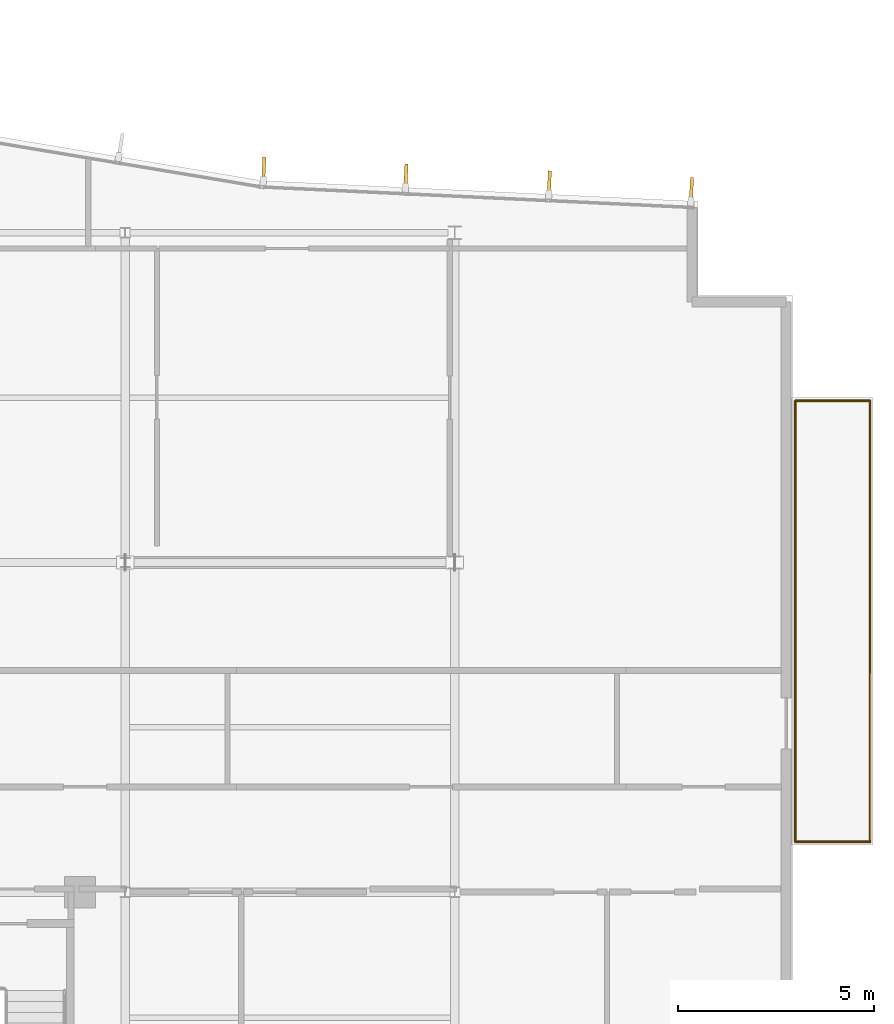
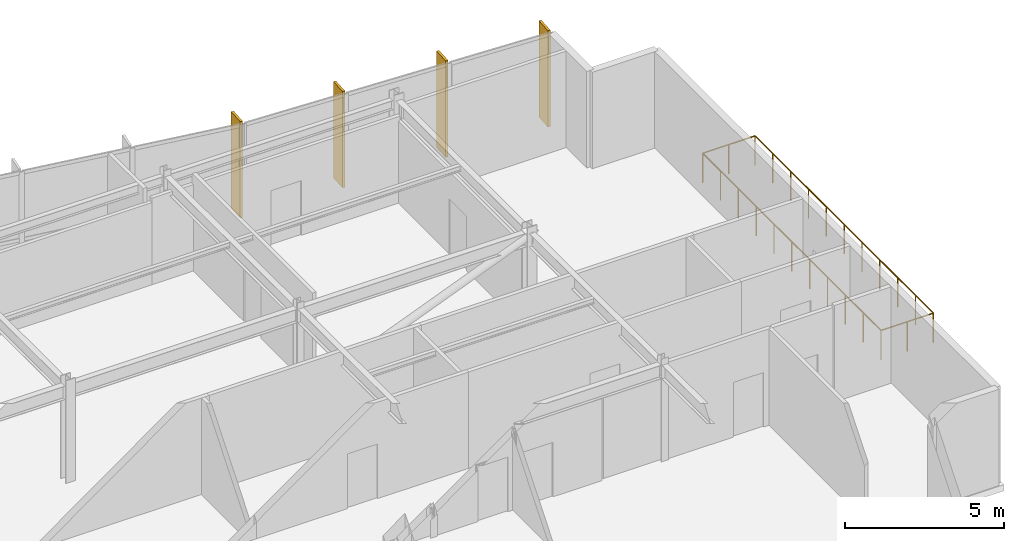
# One storey, part 16 of 17: 4 railings, 4 shading devices.
"""IFC4 building model written with IfcOpenShell, lengths in metres."""

from ifc_helpers import new_model, si_unit, direction, frame, origin, origin_2d, place, context, subcontext, project, spatial, rectangle, circle, extrude, material, layer, layer_set, type_object, element, save


model = new_model("IFC4")

# Units and contexts
model_context = context("Model", 3, precision=1e-05, world=origin(), true_north=direction((0.0, 1.0)))
body_context = subcontext(model_context, "Body", "Model", "MODEL_VIEW")
ifc_project = project(units=[si_unit("LENGTHUNIT", "METRE"), si_unit("AREAUNIT", "SQUARE_METRE"), si_unit("VOLUMEUNIT", "CUBIC_METRE"), si_unit("PLANEANGLEUNIT", "RADIAN"), si_unit("MASSUNIT", "GRAM", prefix="KILO")], contexts=[model_context])

# Site, building, storey
site_placement = place(None, origin())
site = spatial("IfcSite", under=ifc_project, at=site_placement, CompositionType="ELEMENT")
building_placement = place(site_placement, origin())
building = spatial("IfcBuilding", under=site, at=building_placement, Name="Varnakote Quay Hospital", CompositionType="ELEMENT")
storey_placement = place(building_placement, frame((0.0, 0.0, 256.550048828125)))
storey = spatial("IfcBuildingStorey", under=building, at=storey_placement, Name="L63", CompositionType="ELEMENT", Elevation=256.550048828125)

# Railings
ifc_material_1 = material(Name="Anodised aluminium 6063-T6 Bronze", Category="aluminium")
railing_type = type_object("IfcRailingType", Name="RLG-EXT-GUARD-1150", PredefinedType="GUARDRAIL", material=ifc_material_1)
railing_1_placement = place(storey_placement, frame((42.27587890625, 24.52001953125, 0.0)))
element("IfcRailing", 1, at=railing_1_placement, inside=storey, type_object=railing_type, Name="L63 Zigzag Prow Healing Terrace Safety Guard", PredefinedType="GUARDRAIL", context=body_context, shape_type="SweptSolid", body=[
    extrude(circle(Radius=0.02392578125, at=origin_2d()), frame((0.0, 0.0, 1.1259765625), z_axis=(1.0, 0.0, 0.0), x_axis=(0.0, 1.0, 0.0)), (0.0, 0.0, 1.0), 1.904052734375),
    extrude(circle(Radius=0.02099609375, at=origin_2d()), origin(), (0.0, 0.0, 1.0), 1.101806640625),
    extrude(circle(Radius=0.02099609375, at=origin_2d()), frame((0.9521484375, 0.0, 0.0)), (0.0, 0.0, 1.0), 1.101806640625),
    extrude(circle(Radius=0.02099609375, at=origin_2d()), frame((1.904052734375, 0.0, 0.0)), (0.0, 0.0, 1.0), 1.101806640625),
])
railing_2_placement = place(storey_placement, frame((44.179931640625, 24.52001953125, 0.0)))
element("IfcRailing", 2, at=railing_2_placement, inside=storey, type_object=railing_type, Name="L63 Zigzag Prow Healing Terrace Safety Guard", PredefinedType="GUARDRAIL", context=body_context, shape_type="SweptSolid", body=[
    extrude(circle(Radius=0.02392578125, at=origin_2d()), frame((0.0, 0.0, 1.1259765625), z_axis=(0.0, -1.0, 0.0), x_axis=(1.0, 0.0, 0.0)), (0.0, 0.0, 1.0), 11.239990234375),
    extrude(circle(Radius=0.02099609375, at=origin_2d()), origin(), (0.0, 0.0, 1.0), 1.101806640625),
    extrude(circle(Radius=0.02099609375, at=origin_2d()), frame((0.0, -1.1240234375, 0.0)), (0.0, 0.0, 1.0), 1.101806640625),
    extrude(circle(Radius=0.02099609375, at=origin_2d()), frame((0.0, -2.248046875, 0.0)), (0.0, 0.0, 1.0), 1.101806640625),
    extrude(circle(Radius=0.02099609375, at=origin_2d()), frame((0.0, -3.3720703125, 0.0)), (0.0, 0.0, 1.0), 1.101806640625),
    extrude(circle(Radius=0.02099609375, at=origin_2d()), frame((0.0, -4.49609375, 0.0)), (0.0, 0.0, 1.0), 1.101806640625),
    extrude(circle(Radius=0.02099609375, at=origin_2d()), frame((0.0, -5.6201171875, 0.0)), (0.0, 0.0, 1.0), 1.101806640625),
    extrude(circle(Radius=0.02099609375, at=origin_2d()), frame((0.0, -6.743896484375, 0.0)), (0.0, 0.0, 1.0), 1.101806640625),
    extrude(circle(Radius=0.02099609375, at=origin_2d()), frame((0.0, -7.867919921875, 0.0)), (0.0, 0.0, 1.0), 1.101806640625),
    extrude(circle(Radius=0.02099609375, at=origin_2d()), frame((0.0, -8.991943359375, 0.0)), (0.0, 0.0, 1.0), 1.101806640625),
    extrude(circle(Radius=0.02099609375, at=origin_2d()), frame((0.0, -10.115966796875, 0.0)), (0.0, 0.0, 1.0), 1.101806640625),
    extrude(circle(Radius=0.02099609375, at=origin_2d()), frame((0.0, -11.239990234375, 0.0)), (0.0, 0.0, 1.0), 1.101806640625),
])
railing_3_placement = place(storey_placement, frame((44.179931640625, 13.280029296875, 0.0)))
element("IfcRailing", 3, at=railing_3_placement, inside=storey, type_object=railing_type, Name="L63 Zigzag Prow Healing Terrace Safety Guard", PredefinedType="GUARDRAIL", context=body_context, shape_type="SweptSolid", body=[
    extrude(circle(Radius=0.02392578125, at=origin_2d()), frame((0.0, 0.0, 1.1259765625), z_axis=(-1.0, 0.0, 0.0), x_axis=(0.0, -1.0, 0.0)), (0.0, 0.0, 1.0), 1.904052734375),
    extrude(circle(Radius=0.02099609375, at=origin_2d()), origin(), (0.0, 0.0, 1.0), 1.101806640625),
    extrude(circle(Radius=0.02099609375, at=origin_2d()), frame((-0.9521484375, 0.0, 0.0)), (0.0, 0.0, 1.0), 1.101806640625),
    extrude(circle(Radius=0.02099609375, at=origin_2d()), frame((-1.904052734375, 0.0, 0.0)), (0.0, 0.0, 1.0), 1.101806640625),
])
railing_4_placement = place(storey_placement, frame((42.27587890625, 13.280029296875, 0.0)))
element("IfcRailing", 4, at=railing_4_placement, inside=storey, type_object=railing_type, Name="L63 Zigzag Prow Healing Terrace Safety Guard", PredefinedType="GUARDRAIL", context=body_context, shape_type="SweptSolid", body=[
    extrude(circle(Radius=0.02392578125, at=origin_2d()), frame((0.0, 0.0, 1.1259765625), z_axis=(0.0, 1.0, 0.0), x_axis=(-1.0, 0.0, 0.0)), (0.0, 0.0, 1.0), 11.239990234375),
    extrude(circle(Radius=0.02099609375, at=origin_2d()), origin(), (0.0, 0.0, 1.0), 1.101806640625),
    extrude(circle(Radius=0.02099609375, at=origin_2d()), frame((0.0, 1.1240234375, 0.0)), (0.0, 0.0, 1.0), 1.101806640625),
    extrude(circle(Radius=0.02099609375, at=origin_2d()), frame((0.0, 2.248046875, 0.0)), (0.0, 0.0, 1.0), 1.101806640625),
    extrude(circle(Radius=0.02099609375, at=origin_2d()), frame((0.0, 3.3720703125, 0.0)), (0.0, 0.0, 1.0), 1.101806640625),
    extrude(circle(Radius=0.02099609375, at=origin_2d()), frame((0.0, 4.49609375, 0.0)), (0.0, 0.0, 1.0), 1.101806640625),
    extrude(circle(Radius=0.02099609375, at=origin_2d()), frame((0.0, 5.6201171875, 0.0)), (0.0, 0.0, 1.0), 1.101806640625),
    extrude(circle(Radius=0.02099609375, at=origin_2d()), frame((0.0, 6.743896484375, 0.0)), (0.0, 0.0, 1.0), 1.101806640625),
    extrude(circle(Radius=0.02099609375, at=origin_2d()), frame((0.0, 7.867919921875, 0.0)), (0.0, 0.0, 1.0), 1.101806640625),
    extrude(circle(Radius=0.02099609375, at=origin_2d()), frame((0.0, 8.991943359375, 0.0)), (0.0, 0.0, 1.0), 1.101806640625),
    extrude(circle(Radius=0.02099609375, at=origin_2d()), frame((0.0, 10.115966796875, 0.0)), (0.0, 0.0, 1.0), 1.101806640625),
    extrude(circle(Radius=0.02099609375, at=origin_2d()), frame((0.0, 11.239990234375, 0.0)), (0.0, 0.0, 1.0), 1.101806640625),
])

# Shading devices
ifc_material_2 = material(Name="Anodised aluminium 6063-T6 Bronze", Category="aluminium")
ifc_layer = layer(ifc_material_2, 0.0849609375)
ifc_layer_set = layer_set([ifc_layer], Name="Anodised aluminium 6063-T6 Bronze")
shading_device_type = type_object("IfcShadingDeviceType", Name="SHD-BRONZE-FIN-620", PredefinedType="USERDEFINED", material=ifc_layer_set)
for number, where, z_axis, x_axis, name in (
    (5, (39.62890625, 29.8984375, 0.0), (0.0, 0.0, 1.0), (-0.047455126176, -0.998873370853, 0.0), "L63 Anodised Bronze Vertical Shading FIN"),
    (6, (36.0078125, 30.070556640625, 0.0), (0.0, 0.0, 1.0), (-0.047455126176, -0.998873370853, 0.0), "L63 Anodised Bronze Vertical Shading FIN"),
    (7, (32.35400390625, 30.244384765625, 0.0), (0.0, 0.0, 1.0), (-0.047455126176, -0.998873370853, 0.0), "L63 Anodised Bronze Vertical Shading FIN"),
    (8, (28.73291015625, 30.41650390625, 0.0), (0.0, 0.0, 1.0), (-0.047455126176, -0.998873370853, 0.0), "L63 Anodised Bronze Vertical Shading FIN"),
):
    element("IfcShadingDevice", number, at=place(storey_placement, frame(where, z_axis=z_axis, x_axis=x_axis)), inside=storey, type_object=shading_device_type, Name=name, ObjectType="FIN", PredefinedType="USERDEFINED", context=body_context, shape_type="SweptSolid", body=[
        extrude(rectangle(XDim=0.6201171875, YDim=0.0849609375, at=origin_2d()), origin(), (0.0, 0.0, 1.0), 3.7099609375),
    ])

save(model, "model.ifc")
